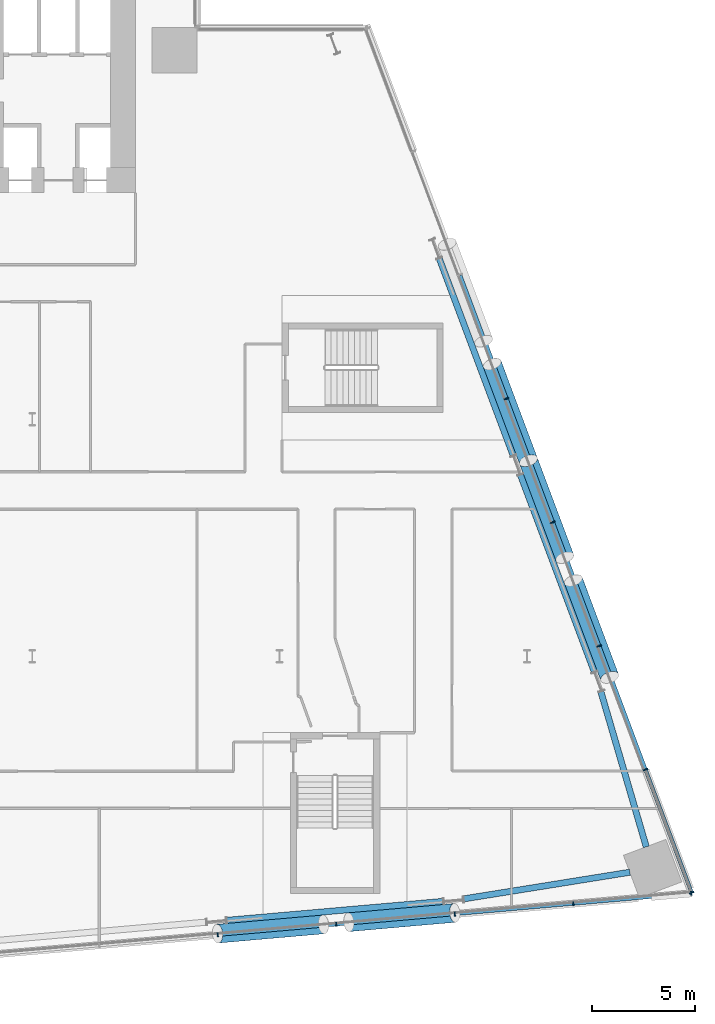
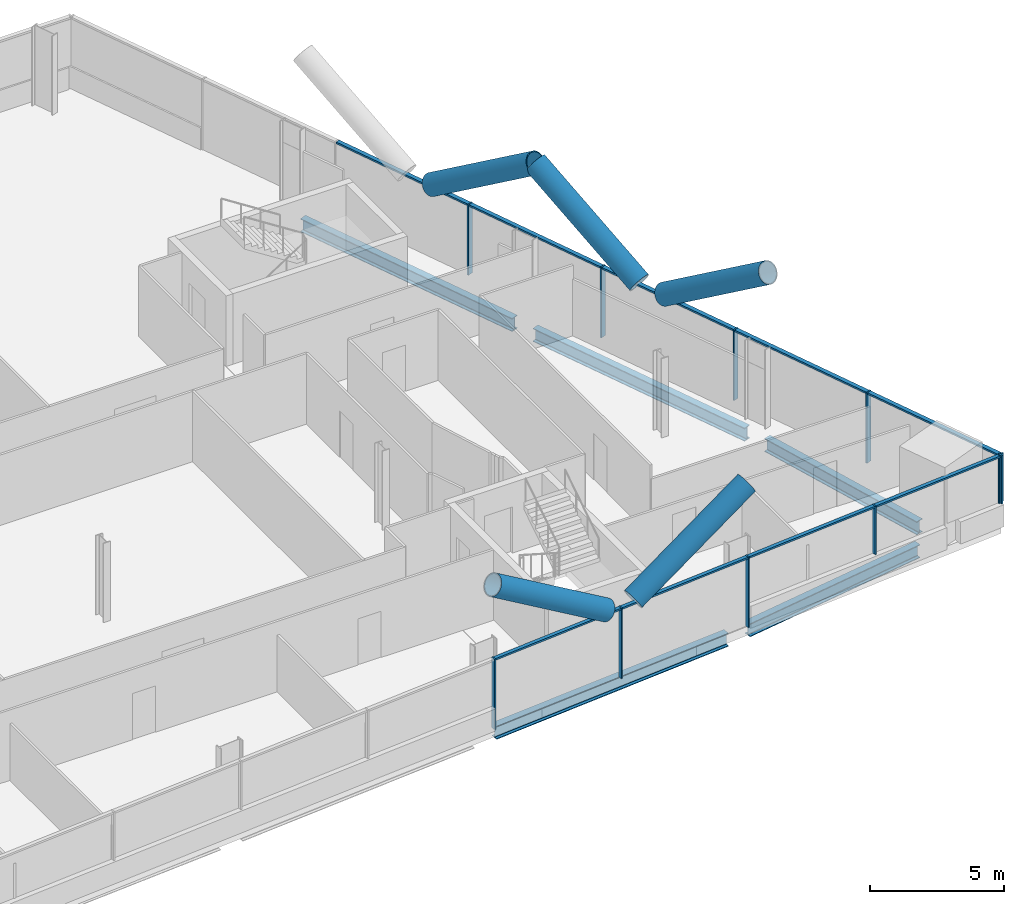
# One storey, part 9 of 27: 24 members, 5 beams, 2 elements without a shape of their own.
"""IFC4 building model written with IfcOpenShell, lengths in metres."""

from ifc_helpers import new_model, si_unit, direction, frame, origin, origin_2d, place, context, subcontext, project, spatial, rectangle, hollow_circle, i_section, extrude, material, material_profile, profile_set, type_object, element, aggregate, save


model = new_model("IFC4")

# Units and contexts
model_context = context("Model", 3, precision=1e-05, world=origin(), true_north=direction((0.0, 1.0)))
body_context = subcontext(model_context, "Body", "Model", "MODEL_VIEW")
ifc_project = project(units=[si_unit("LENGTHUNIT", "METRE"), si_unit("AREAUNIT", "SQUARE_METRE"), si_unit("VOLUMEUNIT", "CUBIC_METRE"), si_unit("PLANEANGLEUNIT", "RADIAN"), si_unit("MASSUNIT", "GRAM", prefix="KILO")], contexts=[model_context])

# Site, building, storey
site_placement = place(None, origin())
site = spatial("IfcSite", under=ifc_project, at=site_placement, CompositionType="ELEMENT")
building_placement = place(site_placement, origin())
building = spatial("IfcBuilding", under=site, at=building_placement, Name="Wharfspan Tower", CompositionType="ELEMENT")
storey_placement = place(building_placement, frame((0.0, 0.0, 55.899902)))
storey = spatial("IfcBuildingStorey", under=building, at=storey_placement, Name="L10", CompositionType="ELEMENT", Elevation=55.899902)

# Beams
ifc_material_1 = material(Name="Steel S355J2", Category="steel")
ifc_material_profile_1 = material_profile(ifc_material_1, i_section(OverallWidth=0.300049, OverallDepth=0.600098, WebThickness=0.015381, FlangeThickness=0.030029, FilletRadius=0.0271, at=origin_2d()))
ifc_profile_set_1 = profile_set([ifc_material_profile_1], Name="Steel S355J2")
beam_type = type_object("IfcBeamType", Name="Edge beam HEB 600", PredefinedType="SPANDREL", material=ifc_profile_set_1)
beam_1_placement = place(storey_placement, frame((69.440674, -1.311279, -0.699951), z_axis=(0.996193, 0.087178, 0.0), x_axis=(-0.087178, 0.996193, 0.0)))
element("IfcBeam", 1, at=beam_1_placement, inside=storey, type_object=beam_type, Name="Edge beam S2 L10 PS2.2 to PS2.3", PredefinedType="SPANDREL", context=body_context, shape_type="SweptSolid", body=[
    extrude(i_section(OverallWidth=0.300049, OverallDepth=0.600098, WebThickness=0.015381, FlangeThickness=0.030029, FilletRadius=0.0271, at=origin_2d()), origin(), (0.0, 0.0, 1.0), 10.543701),
])
beam_2_placement = place(storey_placement, frame((80.9375, -0.269287, -0.699951), z_axis=(0.987379, 0.158378, 0.0), x_axis=(-0.158378, 0.987379, 0.0)))
element("IfcBeam", 2, at=beam_2_placement, inside=storey, type_object=beam_type, Name="Edge beam S2 L10 PS2.3 to MC4", PredefinedType="SPANDREL", context=body_context, shape_type="SweptSolid", body=[
    extrude(i_section(OverallWidth=0.300049, OverallDepth=0.600098, WebThickness=0.015381, FlangeThickness=0.030029, FilletRadius=0.0271, at=origin_2d()), origin(), (0.0, 0.0, 1.0), 8.157715),
])
beam_3_placement = place(storey_placement, frame((89.788086, 2.254639, -0.699951), z_axis=(-0.280694, 0.959797, 0.0), x_axis=(-0.959797, -0.280694, 0.0)))
element("IfcBeam", 3, at=beam_3_placement, inside=storey, type_object=beam_type, Name="Edge beam E L10 MC4 to PE.1", PredefinedType="SPANDREL", context=body_context, shape_type="SweptSolid", body=[
    extrude(i_section(OverallWidth=0.300049, OverallDepth=0.600098, WebThickness=0.015381, FlangeThickness=0.030029, FilletRadius=0.0271, at=origin_2d()), origin(), (0.0, 0.0, 1.0), 7.8479),
])
for number, where, z_axis, x_axis, name in (
    (4, (87.269043, 10.736328, -0.699951), (-0.351126, 0.936328, 0.0), (-0.936328, -0.351126, 0.0), "Edge beam E L10 PE.1 to PE.2"),
    (5, (83.331543, 21.236328, -0.699951), (-0.351126, 0.936328, 0.0), (-0.936328, -0.351126, 0.0), "Edge beam E L10 PE.2 to PE.3"),
):
    element("IfcBeam", number, at=place(storey_placement, frame(where, z_axis=z_axis, x_axis=x_axis)), inside=storey, type_object=beam_type, Name=name, PredefinedType="SPANDREL", context=body_context, shape_type="SweptSolid", body=[
        extrude(i_section(OverallWidth=0.300049, OverallDepth=0.600098, WebThickness=0.015381, FlangeThickness=0.030029, FilletRadius=0.0271, at=origin_2d()), origin(), (0.0, 0.0, 1.0), 10.214111),
    ])

# Curtain wall, members
ifc_material_2 = material(Name="Aluminium 6063-T6", Category="aluminium")
curtain_wall_type_1 = type_object("IfcCurtainWallType", Name="CURTAIN WALL FACETED FRONT", PredefinedType="NOTDEFINED", material=ifc_material_2)
curtain_wall_1_placement = place(storey_placement, origin())
curtain_wall_1 = element("IfcCurtainWall", 6, at=curtain_wall_1_placement, inside=storey, type_object=curtain_wall_type_1, Name="Curtain wall S2", PredefinedType="NOTDEFINED")
ifc_material_profile_2 = material_profile(ifc_material_2, rectangle(XDim=0.199951, YDim=0.060059, at=origin_2d()))
ifc_profile_set_2 = profile_set([ifc_material_profile_2], Name="Aluminium 6063-T6")
member_type_1 = type_object("IfcMemberType", Name="MULLION FACETED FRONT 60x200", PredefinedType="MULLION", material=ifc_profile_set_2)
member_1_placement = place(storey_placement, frame((69.0, -2.012207, 0.0), z_axis=(0.0, 0.0, 1.0), x_axis=(-0.087156, 0.996197, 0.0)))
member_1 = element("IfcMember", 7, at=member_1_placement, type_object=member_type_1, Name="Curtain wall S2 mullion 5", PredefinedType="MULLION", context=body_context, shape_type="SweptSolid", body=[
    extrude(rectangle(XDim=0.199951, YDim=0.060059, at=origin_2d()), origin(), (0.0, 0.0, 1.0), 3.200195),
])
member_2_placement = place(storey_placement, frame((74.75, -1.509277, 0.0), z_axis=(0.0, 0.0, 1.0), x_axis=(-0.087156, 0.996197, 0.0)))
member_2 = element("IfcMember", 8, at=member_2_placement, type_object=member_type_1, Name="Curtain wall S2 mullion 6", PredefinedType="MULLION", context=body_context, shape_type="SweptSolid", body=[
    extrude(rectangle(XDim=0.199951, YDim=0.060059, at=origin_2d()), origin(), (0.0, 0.0, 1.0), 3.200195),
])
member_3_placement = place(storey_placement, frame((80.5, -1.006104, 0.0), z_axis=(0.0, 0.0, 1.0), x_axis=(-0.087156, 0.996197, 0.0)))
member_3 = element("IfcMember", 9, at=member_3_placement, type_object=member_type_1, Name="Curtain wall S2 mullion 7", PredefinedType="MULLION", context=body_context, shape_type="SweptSolid", body=[
    extrude(rectangle(XDim=0.199951, YDim=0.060059, at=origin_2d()), origin(), (0.0, 0.0, 1.0), 3.200195),
])
member_4_placement = place(storey_placement, frame((86.25, -0.503174, 1.0), z_axis=(0.0, 0.0, 1.0), x_axis=(-0.087156, 0.996197, 0.0)))
member_4 = element("IfcMember", 10, at=member_4_placement, type_object=member_type_1, Name="Curtain wall S2 mullion 8", PredefinedType="MULLION", context=body_context, shape_type="SweptSolid", body=[
    extrude(rectangle(XDim=0.199951, YDim=0.060059, at=origin_2d()), origin(), (0.0, 0.0, 1.0), 2.200195),
])
member_5_placement = place(storey_placement, frame((91.970215, -0.002686, 1.0), z_axis=(0.0, 0.0, 1.0), x_axis=(-0.087156, 0.996197, 0.0)))
member_5 = element("IfcMember", 11, at=member_5_placement, type_object=member_type_1, Name="Curtain wall S2 mullion 9", PredefinedType="MULLION", context=body_context, shape_type="SweptSolid", body=[
    extrude(rectangle(XDim=0.199951, YDim=0.060059, at=origin_2d()), origin(), (0.0, 0.0, 1.0), 2.200195),
])

curtain_wall_type_2 = type_object("IfcCurtainWallType", Name="CURTAIN WALL PROW AND END", PredefinedType="NOTDEFINED", material=ifc_material_2)
curtain_wall_2_placement = place(storey_placement, origin())
curtain_wall_2 = element("IfcCurtainWall", 12, at=curtain_wall_2_placement, inside=storey, type_object=curtain_wall_type_2, Name="Curtain wall E", PredefinedType="NOTDEFINED")
ifc_material_profile_3 = material_profile(ifc_material_2, rectangle(XDim=0.23999, YDim=0.060059, at=origin_2d()))
ifc_profile_set_3 = profile_set([ifc_material_profile_3], Name="Aluminium 6063-T6")
member_type_2 = type_object("IfcMemberType", Name="MULLION PROW AND END 60x240", PredefinedType="MULLION", material=ifc_profile_set_3)
member_6_placement = place(storey_placement, frame((91.989502, 0.028076, 1.0), z_axis=(0.0, 0.0, 1.0), x_axis=(-0.936328, -0.351123, 0.0)))
member_6 = element("IfcMember", 13, at=member_6_placement, type_object=member_type_2, Name="Curtain wall E mullion 1", PredefinedType="MULLION", context=body_context, shape_type="SweptSolid", body=[
    extrude(rectangle(XDim=0.23999, YDim=0.060059, at=origin_2d()), origin(), (0.0, 0.0, 1.0), 2.200195),
])
member_7_placement = place(storey_placement, frame((89.75, 6.0, 0.0), z_axis=(0.0, 0.0, 1.0), x_axis=(-0.936328, -0.351123, 0.0)))
member_7 = element("IfcMember", 14, at=member_7_placement, type_object=member_type_2, Name="Curtain wall E mullion 2", PredefinedType="MULLION", context=body_context, shape_type="SweptSolid", body=[
    extrude(rectangle(XDim=0.23999, YDim=0.060059, at=origin_2d()), origin(), (0.0, 0.0, 1.0), 3.200195),
])
member_8_placement = place(storey_placement, frame((87.5, 12.0, 0.0), z_axis=(0.0, 0.0, 1.0), x_axis=(-0.936328, -0.351123, 0.0)))
member_8 = element("IfcMember", 15, at=member_8_placement, type_object=member_type_2, Name="Curtain wall E mullion 3", PredefinedType="MULLION", context=body_context, shape_type="SweptSolid", body=[
    extrude(rectangle(XDim=0.23999, YDim=0.060059, at=origin_2d()), origin(), (0.0, 0.0, 1.0), 3.200195),
])
member_9_placement = place(storey_placement, frame((85.25, 18.0, 0.0), z_axis=(0.0, 0.0, 1.0), x_axis=(-0.936328, -0.351123, 0.0)))
member_9 = element("IfcMember", 16, at=member_9_placement, type_object=member_type_2, Name="Curtain wall E mullion 4", PredefinedType="MULLION", context=body_context, shape_type="SweptSolid", body=[
    extrude(rectangle(XDim=0.23999, YDim=0.060059, at=origin_2d()), origin(), (0.0, 0.0, 1.0), 3.200195),
])
member_10_placement = place(storey_placement, frame((83.0, 24.0, 0.0), z_axis=(0.0, 0.0, 1.0), x_axis=(-0.936328, -0.351123, 0.0)))
member_10 = element("IfcMember", 17, at=member_10_placement, type_object=member_type_2, Name="Curtain wall E mullion 5", PredefinedType="MULLION", context=body_context, shape_type="SweptSolid", body=[
    extrude(rectangle(XDim=0.23999, YDim=0.060059, at=origin_2d()), origin(), (0.0, 0.0, 1.0), 3.200195),
])

# Members
ifc_material_3 = material(Name="Steel S460NH", Category="steel")
ifc_material_profile_4 = material_profile(ifc_material_3, hollow_circle(Radius=0.457031, WallThickness=0.040039, at=origin_2d()))
ifc_profile_set_4 = profile_set([ifc_material_profile_4], Name="Steel S460NH")
member_type_3 = type_object("IfcMemberType", Name="Mega brace CHS 914x40", PredefinedType="BRACE", material=ifc_profile_set_4)
member_11_placement = place(storey_placement, frame((75.361328, -1.400391, 3.285889), z_axis=(0.845271, 0.073923, 0.529199), x_axis=(-0.087123, 0.996199, 1e-06)))
element("IfcMember", 18, at=member_11_placement, inside=storey, type_object=member_type_3, Name="Mega brace S2 L10 part 2", PredefinedType="BRACE", context=body_context, shape_type="SweptSolid", body=[
    extrude(hollow_circle(Radius=0.457031, WallThickness=0.040039, at=origin_2d()), origin(), (0.0, 0.0, 1.0), 6.073486),
])
member_12_placement = place(storey_placement, frame((74.12915, -1.508301, 3.285889), z_axis=(-0.84528, -0.073961, 0.52918), x_axis=(0.087165, -0.996192, -1e-06)))
element("IfcMember", 19, at=member_12_placement, inside=storey, type_object=member_type_3, Name="Mega brace S2 L10 part 4", PredefinedType="BRACE", context=body_context, shape_type="SweptSolid", body=[
    extrude(hollow_circle(Radius=0.457031, WallThickness=0.040039, at=origin_2d()), origin(), (0.0, 0.0, 1.0), 6.07373),
])
for number, where, z_axis, x_axis, name in (
    (20, (85.833008, 16.288574, 3.282715), (-0.295466, 0.787922, 0.540259), (-0.936329, -0.351115, -4e-06), "Mega brace E5 L10 part 2"),
    (21, (86.251465, 15.172852, 3.282715), (0.295466, -0.787922, 0.540259), (0.936329, 0.351115, -4e-06), "Mega brace E5 L10 part 4"),
    (22, (82.313965, 25.672852, 3.282715), (0.295466, -0.787922, 0.540259), (0.936329, 0.351115, -4e-06), "Mega brace E6 L10 part 4"),
):
    element("IfcMember", number, at=place(storey_placement, frame(where, z_axis=z_axis, x_axis=x_axis)), inside=storey, type_object=member_type_3, Name=name, PredefinedType="BRACE", context=body_context, shape_type="SweptSolid", body=[
        extrude(hollow_circle(Radius=0.457031, WallThickness=0.040039, at=origin_2d()), origin(), (0.0, 0.0, 1.0), 5.955078),
    ])

# Member
ifc_material_profile_5 = material_profile(ifc_material_2, rectangle(XDim=0.159912, YDim=0.080078, at=origin_2d()))
ifc_profile_set_5 = profile_set([ifc_material_profile_5], Name="Aluminium 6063-T6")
member_type_4 = type_object("IfcMemberType", Name="TRANSOM FACETED FRONT 80x160", PredefinedType="USERDEFINED", material=ifc_profile_set_5)
member_13_placement = place(storey_placement, frame((69.029785, -2.009521, 3.160156), z_axis=(0.996195, 0.087148, 0.0), x_axis=(-0.087148, 0.996195, 0.0)))
member_13 = element("IfcMember", 23, at=member_13_placement, type_object=member_type_4, Name="Curtain wall S2 transom 5", ObjectType="TRANSOM", PredefinedType="USERDEFINED", context=body_context, shape_type="SweptSolid", body=[
    extrude(rectangle(XDim=0.159912, YDim=0.080078, at=origin_2d()), origin(), (0.0, 0.0, 1.0), 5.712158),
])

member_14_placement = place(storey_placement, frame((74.779785, -1.506592, 3.160156), z_axis=(0.996195, 0.087148, 0.0), x_axis=(-0.087148, 0.996195, 0.0)))
member_14 = element("IfcMember", 24, at=member_14_placement, type_object=member_type_4, Name="Curtain wall S2 transom 6", ObjectType="TRANSOM", PredefinedType="USERDEFINED", context=body_context, shape_type="SweptSolid", body=[
    extrude(rectangle(XDim=0.159912, YDim=0.080078, at=origin_2d()), origin(), (0.0, 0.0, 1.0), 5.712158),
])

member_15_placement = place(storey_placement, frame((80.529785, -1.003418, 3.160156), z_axis=(0.996195, 0.087148, 0.0), x_axis=(-0.087148, 0.996195, 0.0)))
member_15 = element("IfcMember", 25, at=member_15_placement, type_object=member_type_4, Name="Curtain wall S2 transom 7", ObjectType="TRANSOM", PredefinedType="USERDEFINED", context=body_context, shape_type="SweptSolid", body=[
    extrude(rectangle(XDim=0.159912, YDim=0.080078, at=origin_2d()), origin(), (0.0, 0.0, 1.0), 5.712158),
])

member_16_placement = place(storey_placement, frame((86.279785, -0.500488, 3.160156), z_axis=(0.996193, 0.08718, 0.0), x_axis=(-0.08718, 0.996193, 0.0)))
member_16 = element("IfcMember", 26, at=member_16_placement, type_object=member_type_4, Name="Curtain wall S2 transom 8", ObjectType="TRANSOM", PredefinedType="USERDEFINED", context=body_context, shape_type="SweptSolid", body=[
    extrude(rectangle(XDim=0.159912, YDim=0.080078, at=origin_2d()), origin(), (0.0, 0.0, 1.0), 5.682129),
])

aggregate(curtain_wall_1, [member_1, member_2, member_3, member_4, member_5, member_13, member_14, member_15, member_16])

ifc_material_profile_6 = material_profile(ifc_material_2, rectangle(XDim=0.179932, YDim=0.080078, at=origin_2d()))
ifc_profile_set_6 = profile_set([ifc_material_profile_6], Name="Aluminium 6063-T6")
member_type_5 = type_object("IfcMemberType", Name="TRANSOM PROW AND END 80x180", PredefinedType="USERDEFINED", material=ifc_profile_set_6)
member_17_placement = place(storey_placement, frame((91.979004, 0.056152, 3.160156), z_axis=(-0.351136, 0.936324, 0.0), x_axis=(-0.936324, -0.351136, 0.0)))
member_17 = element("IfcMember", 27, at=member_17_placement, type_object=member_type_5, Name="Curtain wall E transom 1", ObjectType="TRANSOM", PredefinedType="USERDEFINED", context=body_context, shape_type="SweptSolid", body=[
    extrude(rectangle(XDim=0.179932, YDim=0.080078, at=origin_2d()), origin(), (0.0, 0.0, 1.0), 6.318115),
])

member_18_placement = place(storey_placement, frame((89.739502, 6.028076, 3.160156), z_axis=(-0.351132, 0.936326, 0.0), x_axis=(-0.936326, -0.351132, 0.0)))
member_18 = element("IfcMember", 28, at=member_18_placement, type_object=member_type_5, Name="Curtain wall E transom 2", ObjectType="TRANSOM", PredefinedType="USERDEFINED", context=body_context, shape_type="SweptSolid", body=[
    extrude(rectangle(XDim=0.179932, YDim=0.080078, at=origin_2d()), origin(), (0.0, 0.0, 1.0), 6.348145),
])

member_19_placement = place(storey_placement, frame((87.489502, 12.028076, 3.160156), z_axis=(-0.351132, 0.936326, 0.0), x_axis=(-0.936326, -0.351132, 0.0)))
member_19 = element("IfcMember", 29, at=member_19_placement, type_object=member_type_5, Name="Curtain wall E transom 3", ObjectType="TRANSOM", PredefinedType="USERDEFINED", context=body_context, shape_type="SweptSolid", body=[
    extrude(rectangle(XDim=0.179932, YDim=0.080078, at=origin_2d()), origin(), (0.0, 0.0, 1.0), 6.348145),
])

member_20_placement = place(storey_placement, frame((85.239502, 18.028076, 3.160156), z_axis=(-0.351132, 0.936326, 0.0), x_axis=(-0.936326, -0.351132, 0.0)))
member_20 = element("IfcMember", 30, at=member_20_placement, type_object=member_type_5, Name="Curtain wall E transom 4", ObjectType="TRANSOM", PredefinedType="USERDEFINED", context=body_context, shape_type="SweptSolid", body=[
    extrude(rectangle(XDim=0.179932, YDim=0.080078, at=origin_2d()), origin(), (0.0, 0.0, 1.0), 6.348145),
])

member_21_placement = place(storey_placement, frame((82.989502, 24.028076, 3.160156), z_axis=(-0.351132, 0.936326, 0.0), x_axis=(-0.936326, -0.351132, 0.0)))
member_21 = element("IfcMember", 31, at=member_21_placement, type_object=member_type_5, Name="Curtain wall E transom 5", ObjectType="TRANSOM", PredefinedType="USERDEFINED", context=body_context, shape_type="SweptSolid", body=[
    extrude(rectangle(XDim=0.179932, YDim=0.080078, at=origin_2d()), origin(), (0.0, 0.0, 1.0), 6.348145),
])

aggregate(curtain_wall_2, [member_6, member_7, member_8, member_9, member_10, member_17, member_18, member_19, member_20, member_21])

save(model, "model.ifc")
